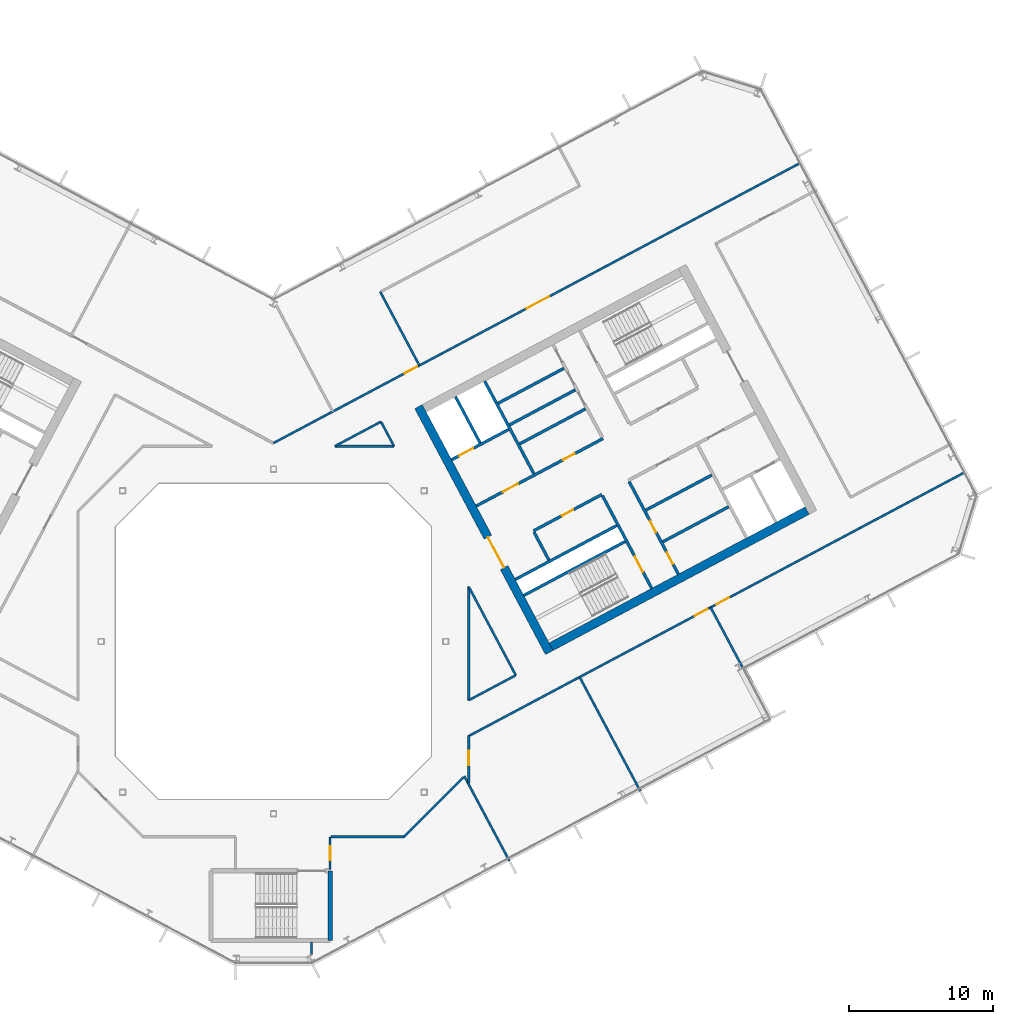
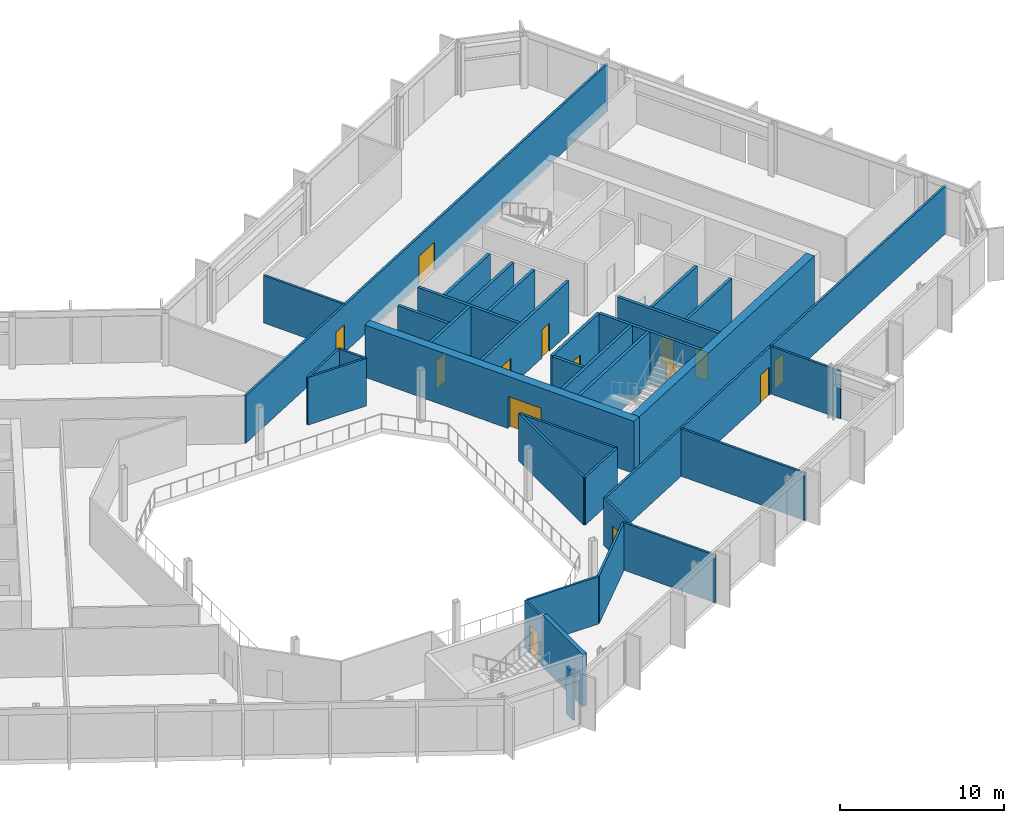
# One storey, part 16 of 27: 35 walls, 14 doors, 14 openings.
"""IFC4 building model written with IfcOpenShell, lengths in metres."""

import ifcopenshell
import ifcopenshell.guid

model = None  # the IFC model being written
_history = None  # IfcOwnerHistory: only IFC2X3 demands one
_inside = {}  # id of a spatial element -> (the spatial element, [elements in it])
_under = {}  # id of a project, library or spatial element -> (it, [spatial elements below it])
_declared = {}  # id of a project -> (the project, [libraries it declares])
_typed = {}  # id of a type object -> (the type object, [elements of that type])
_made_of = {}  # id of a material, layer set ... -> (it, [elements and type objects made of it])


def new_model(schema):
    """Start an empty IFC model of exactly this schema.

    Asked for "IFC4X3", IfcOpenShell would pick the latest addendum, in which some entities
    have other attributes; the version numbers below select the first issue.
    IFC2X3 requires an IfcOwnerHistory on every rooted entity: one is made here for all.
    """
    global model, _history
    if schema == "IFC4X3":
        model = ifcopenshell.file(schema_version=(4, 3, 0, 0))
    else:
        model = ifcopenshell.file(schema=schema)
    _inside.clear()
    _under.clear()
    _declared.clear()
    _typed.clear()
    _made_of.clear()
    _history = None
    if model.schema == "IFC2X3":
        org = make("IfcOrganization", Name="unknown")
        user = make(
            "IfcPersonAndOrganization",
            ThePerson=make("IfcPerson", FamilyName="unknown"),
            TheOrganization=org,
        )
        app = make(
            "IfcApplication",
            ApplicationDeveloper=org,
            Version="unknown",
            ApplicationFullName="unknown",
            ApplicationIdentifier="unknown",
        )
        _history = make(
            "IfcOwnerHistory",
            OwningUser=user,
            OwningApplication=app,
            ChangeAction="ADDED",
            CreationDate=0,
        )
    return model


def make(cls, **values):
    """One entity of the class cls with the attributes given. An attribute that is None is left unset."""
    return model.create_entity(
        cls, **{name: value for name, value in values.items() if value is not None}
    )


def rooted(cls, **values):
    """An entity with a GlobalId (a new one), such as an element, a storey or a relation."""
    return make(cls, GlobalId=ifcopenshell.guid.new(), OwnerHistory=_history, **values)


def si_unit(unit_type, name, prefix=None):
    """IfcSIUnit, for example si_unit("LENGTHUNIT", "METRE", prefix="MILLI")."""
    return make("IfcSIUnit", UnitType=unit_type, Prefix=prefix, Name=name)


def assignment(units):
    """IfcUnitAssignment: the units of a project."""
    return None if units is None else make("IfcUnitAssignment", Units=units)


def point(xyz):
    """IfcCartesianPoint."""
    return None if xyz is None else make("IfcCartesianPoint", Coordinates=xyz)


def direction(xyz):
    """IfcDirection."""
    return None if xyz is None else make("IfcDirection", DirectionRatios=xyz)


def frame(location, z_axis=None, x_axis=None):
    """IfcAxis2Placement3D, a coordinate frame: its origin and axes. An axis left out is left unset."""
    return make(
        "IfcAxis2Placement3D",
        Location=point(location),
        Axis=direction(z_axis),
        RefDirection=direction(x_axis),
    )


def frame_2d(location, x_axis=None):
    """IfcAxis2Placement2D, a coordinate frame in the plane: its origin and x axis."""
    return make(
        "IfcAxis2Placement2D", Location=point(location), RefDirection=direction(x_axis)
    )


def origin():
    """The frame at (0, 0, 0) with its axes left unset."""
    return frame((0.0, 0.0, 0.0))


def place(relative_to, where):
    """IfcLocalPlacement: puts the frame where relative to a parent placement (None: the world)."""
    return make(
        "IfcLocalPlacement", PlacementRelTo=relative_to, RelativePlacement=where
    )


def context(
    kind, dimensions, precision=None, world=None, true_north=None, identifier=None
):
    """IfcGeometricRepresentationContext, for example the 3D "Model" context."""
    return make(
        "IfcGeometricRepresentationContext",
        ContextIdentifier=identifier,
        ContextType=kind,
        CoordinateSpaceDimension=dimensions,
        Precision=precision,
        WorldCoordinateSystem=world,
        TrueNorth=true_north,
    )


def subcontext(parent, identifier, kind, view, scale=None):
    """IfcGeometricRepresentationSubContext, for example "Body" below "Model"."""
    return make(
        "IfcGeometricRepresentationSubContext",
        ContextIdentifier=identifier,
        ContextType=kind,
        ParentContext=parent,
        TargetScale=scale,
        TargetView=view,
    )


def project(units=None, contexts=None):
    """IfcProject with its units and contexts."""
    return rooted(
        "IfcProject",
        Name="project",
        RepresentationContexts=contexts,
        UnitsInContext=assignment(units),
    )


def spatial(cls, under=None, at=None, **own):
    """A site, building, storey or space (cls), placed at a placement, below another one or the project."""
    s = rooted(cls, ObjectPlacement=at, **own)
    if under is not None:
        _under.setdefault(under.id(), (under, []))[1].append(s)
    return s


def profile(cls, at=None, kind="AREA", **sizes):
    """A parametric profile (cls). Its sizes go by their IFC names, for example OverallWidth=200.0."""
    return make(cls, ProfileType=kind, Position=at, **sizes)


def rectangle(**sizes):
    """IfcRectangleProfileDef."""
    return profile("IfcRectangleProfileDef", **sizes)


def extrude(swept, where, along, depth):
    """IfcExtrudedAreaSolid: the profile swept, set in the frame where, extruded along a direction by depth."""
    return make(
        "IfcExtrudedAreaSolid",
        SweptArea=swept,
        Position=where,
        ExtrudedDirection=direction(along),
        Depth=depth,
    )


def shape(context_of_items, identifier, shape_type, items):
    """IfcShapeRepresentation: the items that make up one representation, for example the "Body"."""
    return make(
        "IfcShapeRepresentation",
        ContextOfItems=context_of_items,
        RepresentationIdentifier=identifier,
        RepresentationType=shape_type,
        Items=items,
    )


def material(Name=None, Category=None):
    """IfcMaterial."""
    return make("IfcMaterial", Name=Name, Category=Category)


def layer(
    of_material, thickness, ventilated=None, Name=None, Category=None, Priority=None
):
    """IfcMaterialLayer: one layer of a wall or slab, of a material (None: an air gap)."""
    return make(
        "IfcMaterialLayer",
        Material=of_material,
        LayerThickness=thickness,
        IsVentilated=ventilated,
        Name=Name,
        Category=Category,
        Priority=Priority,
    )


def layer_set(layers, Name=None):
    """IfcMaterialLayerSet."""
    return make("IfcMaterialLayerSet", MaterialLayers=layers, LayerSetName=Name)


def made_of(thing, what):
    """Note that an element or type object is made of a material, layer set ...; save() writes the relation."""
    if what is not None:
        _made_of.setdefault(what.id(), (what, []))[1].append(thing)
    return thing


def type_object(cls, material=None, **own):
    """A type object (cls), such as IfcWallType, which elements share."""
    return made_of(rooted(cls, **own), material)


def element(
    cls,
    number,
    at=None,
    inside=None,
    cuts=None,
    type_object=None,
    material=None,
    context=None,
    identifier="Body",
    shape_type=None,
    held_by="IfcProductDefinitionShape",
    body=None,
    shapes=None,
    **own,
):
    """One element of the class cls, such as IfcWall. Its Tag is "e" and its number.

    at: its placement. inside: the storey or other place that contains it. cuts: it is an
    opening in that element (IfcRelVoidsElement). A single representation is given by context,
    identifier, shape_type and body (its items); several are given by shapes. held_by: the class
    of the entity that holds the representations. save() writes the other relations.
    """
    e = rooted(cls, Tag="e%d" % number, ObjectPlacement=at, **own)
    if body is not None:
        shapes = [shape(context, identifier, shape_type, body)]
    if shapes is not None:
        e.Representation = make(held_by, Representations=shapes)
    if inside is not None:
        _inside.setdefault(inside.id(), (inside, []))[1].append(e)
    if cuts is not None:
        rooted(
            "IfcRelVoidsElement", RelatingBuildingElement=cuts, RelatedOpeningElement=e
        )
    if type_object is not None:
        _typed.setdefault(type_object.id(), (type_object, []))[1].append(e)
    return made_of(e, material)


def fill(opening, filler):
    """IfcRelFillsElement: the door or window that sits in an opening."""
    return rooted(
        "IfcRelFillsElement",
        RelatingOpeningElement=opening,
        RelatedBuildingElement=filler,
    )


def aggregate(whole, parts):
    """IfcRelAggregates: a whole, such as a stair, and the parts it consists of."""
    return rooted("IfcRelAggregates", RelatingObject=whole, RelatedObjects=parts)


def save(model, path):
    """Write the relations noted so far, then the file.

    IfcRelAggregates (storeys below a building ...), IfcRelContainedInSpatialStructure (elements
    in a storey), IfcRelDefinesByType, IfcRelAssociatesMaterial and IfcRelDeclares: one each for
    every whole, place, type object, material and project.
    """
    for whole, parts in _under.values():
        aggregate(whole, parts)
    for where, things in _inside.values():
        rooted(
            "IfcRelContainedInSpatialStructure",
            RelatedElements=things,
            RelatingStructure=where,
        )
    for kind, things in _typed.values():
        rooted("IfcRelDefinesByType", RelatedObjects=things, RelatingType=kind)
    for what, things in _made_of.values():
        rooted("IfcRelAssociatesMaterial", RelatedObjects=things, RelatingMaterial=what)
    for by, libraries in _declared.values():
        rooted("IfcRelDeclares", RelatingContext=by, RelatedDefinitions=libraries)
    model.write(path)


model = new_model("IFC4")

# Units and contexts
model_context = context("Model", 3, precision=1e-05, world=origin(), true_north=direction((0.0, 1.0)))
body_context = subcontext(model_context, "Body", "Model", "MODEL_VIEW")
ifc_project = project(units=[si_unit("LENGTHUNIT", "METRE"), si_unit("AREAUNIT", "SQUARE_METRE"), si_unit("VOLUMEUNIT", "CUBIC_METRE"), si_unit("PLANEANGLEUNIT", "RADIAN"), si_unit("MASSUNIT", "GRAM", prefix="KILO")], contexts=[model_context])

# Site, building, storey
site_placement = place(None, origin())
site = spatial("IfcSite", under=ifc_project, at=site_placement, CompositionType="ELEMENT")
building_placement = place(site_placement, origin())
building = spatial("IfcBuilding", under=site, at=building_placement, Name="Cormorant Relay Tower", CompositionType="ELEMENT")
storey_placement = place(building_placement, frame((0.0, 0.0, 232.5)))
storey = spatial("IfcBuildingStorey", under=building, at=storey_placement, Name="L51", CompositionType="ELEMENT", Elevation=232.5)

# Walls
ifc_material_1 = material(Name="Concrete 40 MPa", Category="concrete")
ifc_layer_1 = layer(ifc_material_1, 0.199951171875)
ifc_layer_set_1 = layer_set([ifc_layer_1], Name="Core internal wall 200")
wall_type_1 = type_object("IfcWallType", Name="Core internal wall 200", PredefinedType="SOLIDWALL", material=ifc_layer_set_1)
for number, where, z_axis, x_axis, name in (
    (1, (27.11474609375, 6.942138671875, 0.0), (0.0, 0.0, 1.0), (0.882934506056, 0.469496174655, 0.0), "L51 core B shaft and room wall"),
    (2, (16.442626953125, 15.085205078125, 0.0), (0.0, 0.0, 1.0), (0.882953967957, 0.469459572775, 0.0), "L51 core B shaft and room wall"),
    (3, (15.64453125, 16.586181640625, 0.0), (0.0, 0.0, 1.0), (0.882953967957, 0.469459572775, 0.0), "L51 core B shaft and room wall"),
):
    element("IfcWall", number, at=place(storey_placement, frame(where, z_axis=z_axis, x_axis=x_axis)), inside=storey, type_object=wall_type_1, Name=name, PredefinedType="SOLIDWALL", context=body_context, shape_type="SweptSolid", body=[
        extrude(rectangle(XDim=5.199951171875, YDim=0.199951171875, at=frame_2d((2.60009765625, 0.0))), origin(), (0.0, 0.0, 1.0), 3.89990234375),
    ])
ifc_material_2 = material(Name="Concrete 50 MPa", Category="concrete")
ifc_layer_2 = layer(ifc_material_2, 0.199951171875)
ifc_layer_set_2 = layer_set([ifc_layer_2], Name="Core shaft wall 200")
wall_type_2 = type_object("IfcWallType", Name="Core shaft wall 200", PredefinedType="SHEAR", material=ifc_layer_set_2)
wall_1_placement = place(storey_placement, frame((14.39404296875, 13.825927734375, 0.0), z_axis=(0.0, 0.0, 1.0), x_axis=(-0.469494272526, 0.882935517501, 0.0)))
element("IfcWall", 4, at=wall_1_placement, inside=storey, type_object=wall_type_2, Name="L51 core B shaft wall", PredefinedType="SHEAR", context=body_context, shape_type="SweptSolid", body=[
    extrude(rectangle(XDim=3.64990234375, YDim=0.199951171875, at=frame_2d((1.824951171875, 0.0))), origin(), (0.0, 0.0, 1.0), 3.89990234375),
])
wall_2_placement = place(storey_placement, frame((19.18359375, 5.669921875, 0.0), z_axis=(0.0, 0.0, 1.0), x_axis=(-0.4694473164, 0.882960484464, 0.0)))
element("IfcWall", 5, at=wall_2_placement, inside=storey, type_object=wall_type_2, Name="L51 core B shaft wall", PredefinedType="SHEAR", context=body_context, shape_type="SweptSolid", body=[
    extrude(rectangle(XDim=2.199951171875, YDim=0.199951171875, at=frame_2d((1.10009765625, 0.0))), origin(), (0.0, 0.0, 1.0), 3.89990234375),
])
wall_3_placement = place(storey_placement, frame((18.138427734375, 11.682861328125, 0.0), z_axis=(0.0, 0.0, 1.0), x_axis=(-0.469480409012, 0.88294288918, 0.0)))
element("IfcWall", 6, at=wall_3_placement, inside=storey, type_object=wall_type_2, Name="L51 core B shaft wall", PredefinedType="SHEAR", context=body_context, shape_type="SweptSolid", body=[
    extrude(rectangle(XDim=7.300048828125, YDim=0.199951171875, at=frame_2d((3.64990234375, 0.0))), origin(), (0.0, 0.0, 1.0), 3.89990234375),
])

# Wall, opening, door
wall_4_placement = place(storey_placement, frame((26.345947265625, 3.701904296875, 0.0), z_axis=(0.0, 0.0, 1.0), x_axis=(-0.469480409012, 0.88294288918, 0.0)))
wall_4 = element("IfcWall", 7, at=wall_4_placement, inside=storey, type_object=wall_type_2, Name="L51 core B shaft wall", PredefinedType="SHEAR", context=body_context, shape_type="SweptSolid", body=[
    extrude(rectangle(XDim=7.300048828125, YDim=0.199951171875, at=frame_2d((3.64990234375, 0.0))), origin(), (0.0, 0.0, 1.0), 3.89990234375),
])
opening_1_placement = place(wall_4_placement, frame((1.300048828125, 0.0, 0.0)))
opening_1 = element("IfcOpeningElement", 8, at=opening_1_placement, cuts=wall_4, Name="Opening CDB-040", PredefinedType="OPENING", context=body_context, shape_type="SweptSolid", body=[
    extrude(rectangle(XDim=1.199951171875, YDim=2.10009765625, at=frame_2d((0.60009765625, 1.050048828125))), frame((0.0, 0.10986328125, 0.0), z_axis=(0.0, -1.0, 0.0), x_axis=(1.0, 0.0, 0.0)), (0.0, 0.0, 1.0), 0.219970703125),
])
ifc_material_3 = material(Name="Steel fire door", Category="steel")
door_type_1 = type_object("IfcDoorType", Name="Core stair door 1200x2100", OperationType="SINGLE_SWING_LEFT", PredefinedType="DOOR", material=ifc_material_3)
door_1_placement = place(opening_1_placement, origin())
door_1 = element("IfcDoor", 9, at=door_1_placement, inside=storey, type_object=door_type_1, Name="Core stair door 1200x2100", OperationType="SINGLE_SWING_RIGHT", OverallHeight=2.10009765625, OverallWidth=1.199951171875, PredefinedType="DOOR", context=body_context, shape_type="SweptSolid", body=[
    extrude(rectangle(XDim=1.199951171875, YDim=2.10009765625, at=frame_2d((0.60009765625, 1.050048828125))), frame((0.0, 0.02490234375, 0.0), z_axis=(0.0, -1.0, 0.0), x_axis=(1.0, 0.0, 0.0)), (0.0, 0.0, 1.0), 0.050048828125),
])
fill(opening_1, door_1)

# Wall, openings, doors
wall_5_placement = place(storey_placement, frame((28.199951171875, 4.687744140625, 0.0), z_axis=(0.0, 0.0, 1.0), x_axis=(-0.469454336211, 0.882956752176, 0.0)))
wall_5 = element("IfcWall", 10, at=wall_5_placement, inside=storey, type_object=wall_type_2, Name="L51 core B shaft wall", PredefinedType="SHEAR", context=body_context, shape_type="SweptSolid", body=[
    extrude(rectangle(XDim=7.300048828125, YDim=0.199951171875, at=frame_2d((3.64990234375, 0.0))), origin(), (0.0, 0.0, 1.0), 3.89990234375),
])
opening_2_placement = place(wall_5_placement, frame((0.800048828125, 0.0, 0.0)))
opening_2 = element("IfcOpeningElement", 11, at=opening_2_placement, cuts=wall_5, Name="Opening CDD-286", PredefinedType="OPENING", context=body_context, shape_type="SweptSolid", body=[
    extrude(rectangle(XDim=0.89990234375, YDim=2.10009765625, at=frame_2d((0.449951171875, 1.050048828125))), frame((0.0, 0.10986328125, 0.0), z_axis=(0.0, -1.0, 0.0), x_axis=(1.0, 0.0, 0.0)), (0.0, 0.0, 1.0), 0.219970703125),
])
opening_3_placement = place(wall_5_placement, frame((3.300048828125, 0.0, 0.0)))
opening_3 = element("IfcOpeningElement", 12, at=opening_3_placement, cuts=wall_5, Name="Opening CDD-287", PredefinedType="OPENING", context=body_context, shape_type="SweptSolid", body=[
    extrude(rectangle(XDim=0.89990234375, YDim=2.10009765625, at=frame_2d((0.449951171875, 1.050048828125))), frame((0.0, 0.10986328125, 0.0), z_axis=(0.0, -1.0, 0.0), x_axis=(1.0, 0.0, 0.0)), (0.0, 0.0, 1.0), 0.219970703125),
])
ifc_material_4 = material(Name="Steel fire door", Category="steel")
door_type_2 = type_object("IfcDoorType", Name="Core room door 900x2100", OperationType="SINGLE_SWING_LEFT", PredefinedType="DOOR", material=ifc_material_4)
door_2_placement = place(opening_2_placement, frame((0.89990234375, 0.0, 0.0), z_axis=(0.0, 0.0, 1.0), x_axis=(-1.0, 0.0, 0.0)))
door_2 = element("IfcDoor", 13, at=door_2_placement, inside=storey, type_object=door_type_2, Name="Core room door 900x2100", OperationType="SINGLE_SWING_LEFT", OverallHeight=2.10009765625, OverallWidth=0.89990234375, PredefinedType="DOOR", context=body_context, shape_type="SweptSolid", body=[
    extrude(rectangle(XDim=0.89990234375, YDim=2.10009765625, at=frame_2d((0.449951171875, 1.050048828125))), frame((0.0, 0.02490234375, 0.0), z_axis=(0.0, -1.0, 0.0), x_axis=(1.0, 0.0, 0.0)), (0.0, 0.0, 1.0), 0.050048828125),
])
fill(opening_2, door_2)
door_3_placement = place(opening_3_placement, frame((0.89990234375, 0.0, 0.0), z_axis=(0.0, 0.0, 1.0), x_axis=(-1.0, 0.0, 0.0)))
door_3 = element("IfcDoor", 14, at=door_3_placement, inside=storey, type_object=door_type_2, Name="Core room door 900x2100", OperationType="SINGLE_SWING_LEFT", OverallHeight=2.10009765625, OverallWidth=0.89990234375, PredefinedType="DOOR", context=body_context, shape_type="SweptSolid", body=[
    extrude(rectangle(XDim=0.89990234375, YDim=2.10009765625, at=frame_2d((0.449951171875, 1.050048828125))), frame((0.0, 0.02490234375, 0.0), z_axis=(0.0, -1.0, 0.0), x_axis=(1.0, 0.0, 0.0)), (0.0, 0.0, 1.0), 0.050048828125),
])
fill(opening_3, door_3)

# Walls
for number, where, z_axis, x_axis, name in (
    (15, (17.43359375, 3.210205078125, 0.0), (0.0, 0.0, 1.0), (0.882940221191, 0.469485426614, 0.0), "L51 core B shaft wall"),
    (16, (16.8466796875, 4.31396484375, 0.0), (0.0, 0.0, 1.0), (0.882940221191, 0.469485426614, 0.0), "L51 core B shaft wall"),
):
    element("IfcWall", number, at=place(storey_placement, frame(where, z_axis=z_axis, x_axis=x_axis)), inside=storey, type_object=wall_type_2, Name=name, PredefinedType="SHEAR", context=body_context, shape_type="SweptSolid", body=[
        extrude(rectangle(XDim=8.0, YDim=0.199951171875, at=frame_2d((4.0, 0.0))), origin(), (0.0, 0.0, 1.0), 3.89990234375),
    ])
wall_6_placement = place(storey_placement, frame((25.94091796875, 9.149658203125, 0.0), z_axis=(0.0, 0.0, 1.0), x_axis=(0.882953967957, 0.469459572775, 0.0)))
element("IfcWall", 17, at=wall_6_placement, inside=storey, type_object=wall_type_2, Name="L51 core B shaft wall", PredefinedType="SHEAR", context=body_context, shape_type="SweptSolid", body=[
    extrude(rectangle(XDim=5.199951171875, YDim=0.199951171875, at=frame_2d((2.60009765625, 0.0))), origin(), (0.0, 0.0, 1.0), 3.89990234375),
])

# Wall, opening, door
wall_7_placement = place(storey_placement, frame((18.103759765625, 7.70068359375, 0.0), z_axis=(0.0, 0.0, 1.0), x_axis=(0.882952937579, 0.469461510692, 0.0)))
wall_7 = element("IfcWall", 18, at=wall_7_placement, inside=storey, type_object=wall_type_2, Name="L51 core B shaft wall", PredefinedType="SHEAR", context=body_context, shape_type="SweptSolid", body=[
    extrude(rectangle(XDim=5.400146484375, YDim=0.199951171875, at=frame_2d((2.7001953125, 0.0))), origin(), (0.0, 0.0, 1.0), 3.89990234375),
])
opening_4_placement = place(wall_7_placement, frame((2.25, 0.0, 0.0)))
opening_4 = element("IfcOpeningElement", 19, at=opening_4_placement, cuts=wall_7, Name="Opening CDD-262", PredefinedType="OPENING", context=body_context, shape_type="SweptSolid", body=[
    extrude(rectangle(XDim=0.89990234375, YDim=2.10009765625, at=frame_2d((0.449951171875, 1.050048828125))), frame((0.0, 0.10986328125, 0.0), z_axis=(0.0, -1.0, 0.0), x_axis=(1.0, 0.0, 0.0)), (0.0, 0.0, 1.0), 0.219970703125),
])
door_4_placement = place(opening_4_placement, frame((0.89990234375, 0.0, 0.0), z_axis=(0.0, 0.0, 1.0), x_axis=(-1.0, 0.0, 0.0)))
door_4 = element("IfcDoor", 20, at=door_4_placement, inside=storey, type_object=door_type_2, Name="Core room door 900x2100", OperationType="SINGLE_SWING_RIGHT", OverallHeight=2.10009765625, OverallWidth=0.89990234375, PredefinedType="DOOR", context=body_context, shape_type="SweptSolid", body=[
    extrude(rectangle(XDim=0.89990234375, YDim=2.10009765625, at=frame_2d((0.449951171875, 1.050048828125))), frame((0.0, 0.02490234375, 0.0), z_axis=(0.0, -1.0, 0.0), x_axis=(1.0, 0.0, 0.0)), (0.0, 0.0, 1.0), 0.050048828125),
])
fill(opening_4, door_4)

# Wall, openings, doors
wall_8_placement = place(storey_placement, frame((14.123779296875, 9.43505859375, 0.0), z_axis=(0.0, 0.0, 1.0), x_axis=(0.882940221191, 0.469485426614, 0.0)))
wall_8 = element("IfcWall", 21, at=wall_8_placement, inside=storey, type_object=wall_type_2, Name="L51 core B shaft wall", PredefinedType="SHEAR", context=body_context, shape_type="SweptSolid", body=[
    extrude(rectangle(XDim=10.0, YDim=0.199951171875, at=frame_2d((5.0, 0.0))), origin(), (0.0, 0.0, 1.0), 3.89990234375),
])
opening_5_placement = place(wall_8_placement, frame((2.10009765625, 0.0, 0.0)))
opening_5 = element("IfcOpeningElement", 22, at=opening_5_placement, cuts=wall_8, Name="Opening CDC-037", PredefinedType="OPENING", context=body_context, shape_type="SweptSolid", body=[
    extrude(rectangle(XDim=1.199951171875, YDim=2.10009765625, at=frame_2d((0.60009765625, 1.050048828125))), frame((0.0, 0.10986328125, 0.0), z_axis=(0.0, -1.0, 0.0), x_axis=(1.0, 0.0, 0.0)), (0.0, 0.0, 1.0), 0.219970703125),
])
opening_6_placement = place(wall_8_placement, frame((6.85009765625, 0.0, 0.0)))
opening_6 = element("IfcOpeningElement", 23, at=opening_6_placement, cuts=wall_8, Name="Opening CDD-260", PredefinedType="OPENING", context=body_context, shape_type="SweptSolid", body=[
    extrude(rectangle(XDim=0.89990234375, YDim=2.10009765625, at=frame_2d((0.449951171875, 1.050048828125))), frame((0.0, 0.10986328125, 0.0), z_axis=(0.0, -1.0, 0.0), x_axis=(1.0, 0.0, 0.0)), (0.0, 0.0, 1.0), 0.219970703125),
])
ifc_material_5 = material(Name="Steel fire door", Category="steel")
door_type_3 = type_object("IfcDoorType", Name="Core lobby door 1200x2100", OperationType="SINGLE_SWING_LEFT", PredefinedType="DOOR", material=ifc_material_5)
door_5_placement = place(opening_5_placement, origin())
door_5 = element("IfcDoor", 24, at=door_5_placement, inside=storey, type_object=door_type_3, Name="Core lobby door 1200x2100", OperationType="SINGLE_SWING_RIGHT", OverallHeight=2.10009765625, OverallWidth=1.199951171875, PredefinedType="DOOR", context=body_context, shape_type="SweptSolid", body=[
    extrude(rectangle(XDim=1.199951171875, YDim=2.10009765625, at=frame_2d((0.60009765625, 1.050048828125))), frame((0.0, 0.02490234375, 0.0), z_axis=(0.0, -1.0, 0.0), x_axis=(1.0, 0.0, 0.0)), (0.0, 0.0, 1.0), 0.050048828125),
])
fill(opening_5, door_5)
door_6_placement = place(opening_6_placement, origin())
door_6 = element("IfcDoor", 25, at=door_6_placement, inside=storey, type_object=door_type_2, Name="Core room door 900x2100", OperationType="SINGLE_SWING_LEFT", OverallHeight=2.10009765625, OverallWidth=0.89990234375, PredefinedType="DOOR", context=body_context, shape_type="SweptSolid", body=[
    extrude(rectangle(XDim=0.89990234375, YDim=2.10009765625, at=frame_2d((0.449951171875, 1.050048828125))), frame((0.0, 0.02490234375, 0.0), z_axis=(0.0, -1.0, 0.0), x_axis=(1.0, 0.0, 0.0)), (0.0, 0.0, 1.0), 0.050048828125),
])
fill(opening_6, door_6)

# Wall
wall_9_placement = place(storey_placement, frame((17.146728515625, 13.7607421875, 0.0), z_axis=(0.0, 0.0, 1.0), x_axis=(0.882964314875, 0.469440111896, 0.0)))
element("IfcWall", 26, at=wall_9_placement, inside=storey, type_object=wall_type_2, Name="L51 core B shaft wall", PredefinedType="SHEAR", context=body_context, shape_type="SweptSolid", body=[
    extrude(rectangle(XDim=5.2001953125, YDim=0.199951171875, at=frame_2d((2.60009765625, 0.0))), origin(), (0.0, 0.0, 1.0), 3.89990234375),
])

# Wall, opening, door
wall_10_placement = place(storey_placement, frame((12.41015625, 12.657958984375, 0.0), z_axis=(0.0, 0.0, 1.0), x_axis=(0.8829484765, 0.469469900894, 0.0)))
wall_10 = element("IfcWall", 27, at=wall_10_placement, inside=storey, type_object=wall_type_2, Name="L51 core B shaft wall", PredefinedType="SHEAR", context=body_context, shape_type="SweptSolid", body=[
    extrude(rectangle(XDim=4.499755859375, YDim=0.199951171875, at=frame_2d((2.25, 0.0))), origin(), (0.0, 0.0, 1.0), 3.89990234375),
])
opening_7_placement = place(wall_10_placement, frame((0.60009765625, 0.0, 0.0)))
opening_7 = element("IfcOpeningElement", 28, at=opening_7_placement, cuts=wall_10, Name="Opening LD1-064", PredefinedType="OPENING", context=body_context, shape_type="SweptSolid", body=[
    extrude(rectangle(XDim=1.10009765625, YDim=2.10009765625, at=frame_2d((0.550048828125, 1.050048828125))), frame((0.0, 0.10986328125, 0.0), z_axis=(0.0, -1.0, 0.0), x_axis=(1.0, 0.0, 0.0)), (0.0, 0.0, 1.0), 0.219970703125),
])
ifc_material_6 = material(Name="Stainless steel 316", Category="steel")
door_type_4 = type_object("IfcDoorType", Name="Lift landing door 1100x2100", OperationType="DOUBLE_DOOR_SLIDING", PredefinedType="DOOR", material=ifc_material_6)
door_7_placement = place(opening_7_placement, origin())
door_7 = element("IfcDoor", 29, at=door_7_placement, inside=storey, type_object=door_type_4, Name="FF2 landing door", OperationType="DOUBLE_DOOR_SLIDING", OverallHeight=2.10009765625, OverallWidth=1.10009765625, PredefinedType="DOOR", context=body_context, shape_type="SweptSolid", body=[
    extrude(rectangle(XDim=1.10009765625, YDim=2.10009765625, at=frame_2d((0.550048828125, 1.050048828125))), frame((0.0, 0.02490234375, 0.0), z_axis=(0.0, -1.0, 0.0), x_axis=(1.0, 0.0, 0.0)), (0.0, 0.0, 1.0), 0.050048828125),
])
fill(opening_7, door_7)

ifc_material_7 = material(Name="Concrete 50 MPa", Category="concrete")
ifc_layer_3 = layer(ifc_material_7, 0.60009765625)
ifc_layer_set_3 = layer_set([ifc_layer_3], Name="Core wall 600")
wall_type_3 = type_object("IfcWallType", Name="Core wall 600", PredefinedType="SHEAR", material=ifc_layer_set_3)
wall_11_placement = place(storey_placement, frame((19.210693359375, -0.771484375, 0.0), z_axis=(0.0, 0.0, 1.0), x_axis=(-0.469463742137, 0.882951751127, 0.0)))
wall_11 = element("IfcWall", 30, at=wall_11_placement, inside=storey, type_object=wall_type_3, Name="L51 core B wall", PredefinedType="SHEAR", context=body_context, shape_type="SweptSolid", body=[
    extrude(rectangle(XDim=19.400146484375, YDim=0.60009765625, at=frame_2d((9.7001953125, 0.0))), origin(), (0.0, 0.0, 1.0), 3.89990234375),
])
opening_8_placement = place(wall_11_placement, frame((6.699951171875, 0.0, 0.0)))
opening_8 = element("IfcOpeningElement", 31, at=opening_8_placement, cuts=wall_11, Name="Opening CDA-044", PredefinedType="OPENING", context=body_context, shape_type="SweptSolid", body=[
    extrude(rectangle(XDim=2.39990234375, YDim=2.39990234375, at=frame_2d((1.199951171875, 1.199951171875))), frame((0.0, 0.31005859375, 0.0), z_axis=(0.0, -1.0, 0.0), x_axis=(1.0, 0.0, 0.0)), (0.0, 0.0, 1.0), 0.6201171875),
])
ifc_material_8 = material(Name="Steel fire door", Category="steel")
door_type_5 = type_object("IfcDoorType", Name="Core lobby door 2400x2400", OperationType="DOUBLE_DOOR_SINGLE_SWING", PredefinedType="DOOR", material=ifc_material_8)
door_8_placement = place(opening_8_placement, origin())
door_8 = element("IfcDoor", 32, at=door_8_placement, inside=storey, type_object=door_type_5, Name="Core lobby door 2400x2400", OperationType="DOUBLE_DOOR_SINGLE_SWING", OverallHeight=2.39990234375, OverallWidth=2.39990234375, PredefinedType="DOOR", context=body_context, shape_type="SweptSolid", body=[
    extrude(rectangle(XDim=2.39990234375, YDim=2.39990234375, at=frame_2d((1.199951171875, 1.199951171875))), frame((0.0, 0.02490234375, 0.0), z_axis=(0.0, -1.0, 0.0), x_axis=(1.0, 0.0, 0.0)), (0.0, 0.0, 1.0), 0.050048828125),
])
fill(opening_8, door_8)

# Wall
wall_12_placement = place(storey_placement, frame((19.3349609375, -0.36572265625, 0.0), z_axis=(0.0, 0.0, 1.0), x_axis=(0.88294509198, 0.469476266226, 0.0)))
element("IfcWall", 33, at=wall_12_placement, inside=storey, type_object=wall_type_3, Name="L51 core B wall", PredefinedType="SHEAR", context=body_context, shape_type="SweptSolid", body=[
    extrude(rectangle(XDim=20.199951171875, YDim=0.60009765625, at=frame_2d((10.10009765625, 0.0))), origin(), (0.0, 0.0, 1.0), 3.89990234375),
])

# Wall, openings, doors
ifc_material_9 = material(Name="Gypsum board fire partition")
ifc_layer_4 = layer(ifc_material_9, 0.14990234375)
ifc_layer_set_4 = layer_set([ifc_layer_4], Name="Corridor partition 150 EI 60")
wall_type_4 = type_object("IfcWallType", Name="Corridor partition 150 EI 60", PredefinedType="PARTITIONING", material=ifc_layer_set_4)
wall_13_placement = place(storey_placement, frame((0.0, 13.81689453125, 0.0), z_axis=(0.0, 0.0, 1.0), x_axis=(0.88295168045, 0.469463875065, 0.0)))
wall_13 = element("IfcWall", 34, at=wall_13_placement, inside=storey, type_object=wall_type_4, Name="wall/L51/part/012", PredefinedType="PARTITIONING", context=body_context, shape_type="SweptSolid", body=[
    extrude(rectangle(XDim=41.713623046875, YDim=0.14990234375, at=frame_2d((20.85693359375, 0.0))), origin(), (0.0, 0.0, 1.0), 3.5400390625),
])
opening_9_placement = place(wall_13_placement, frame((19.949951171875, 0.0, 0.0)))
opening_9 = element("IfcOpeningElement", 35, at=opening_9_placement, cuts=wall_13, Name="Opening DD-029", PredefinedType="OPENING", context=body_context, shape_type="SweptSolid", body=[
    extrude(rectangle(XDim=1.800048828125, YDim=2.10009765625, at=frame_2d((0.89990234375, 1.050048828125))), frame((0.0, 0.0849609375, 0.0), z_axis=(0.0, -1.0, 0.0), x_axis=(1.0, 0.0, 0.0)), (0.0, 0.0, 1.0), 0.169921875),
])
opening_10_placement = place(wall_13_placement, frame((10.35009765625, 0.0, 0.0)))
opening_10 = element("IfcOpeningElement", 36, at=opening_10_placement, cuts=wall_13, Name="Opening DS-160", PredefinedType="OPENING", context=body_context, shape_type="SweptSolid", body=[
    extrude(rectangle(XDim=1.0, YDim=2.10009765625, at=frame_2d((0.5, 1.050048828125))), frame((0.0, 0.0849609375, 0.0), z_axis=(0.0, -1.0, 0.0), x_axis=(1.0, 0.0, 0.0)), (0.0, 0.0, 1.0), 0.169921875),
])
ifc_material_10 = material(Name="Timber door leaf", Category="wood")
door_type_6 = type_object("IfcDoorType", Name="Suite door 1000x2100", OperationType="SINGLE_SWING_LEFT", PredefinedType="DOOR", material=ifc_material_10)
door_9_placement = place(opening_10_placement, origin())
door_9 = element("IfcDoor", 37, at=door_9_placement, inside=storey, type_object=door_type_6, Name="door/L51/014", OperationType="SINGLE_SWING_RIGHT", OverallHeight=2.10009765625, OverallWidth=1.0, PredefinedType="DOOR", context=body_context, shape_type="SweptSolid", body=[
    extrude(rectangle(XDim=1.0, YDim=2.10009765625, at=frame_2d((0.5, 1.050048828125))), frame((0.0, 0.02490234375, 0.0), z_axis=(0.0, -1.0, 0.0), x_axis=(1.0, 0.0, 0.0)), (0.0, 0.0, 1.0), 0.050048828125),
])
fill(opening_10, door_9)
ifc_material_11 = material(Name="Timber door leaf", Category="wood")
door_type_7 = type_object("IfcDoorType", Name="Suite double door 1800x2100", OperationType="DOUBLE_DOOR_SINGLE_SWING", PredefinedType="DOOR", material=ifc_material_11)
door_10_placement = place(opening_9_placement, origin())
door_10 = element("IfcDoor", 38, at=door_10_placement, inside=storey, type_object=door_type_7, Name="door/L51/013", OperationType="DOUBLE_DOOR_SINGLE_SWING", OverallHeight=2.10009765625, OverallWidth=1.800048828125, PredefinedType="DOOR", context=body_context, shape_type="SweptSolid", body=[
    extrude(rectangle(XDim=1.800048828125, YDim=2.10009765625, at=frame_2d((0.89990234375, 1.050048828125))), frame((0.0, 0.02490234375, 0.0), z_axis=(0.0, -1.0, 0.0), x_axis=(1.0, 0.0, 0.0)), (0.0, 0.0, 1.0), 0.050048828125),
])
fill(opening_9, door_10)

# Wall, opening, door
wall_14_placement = place(storey_placement, frame((3.949951171875, -13.60009765625, 0.0), z_axis=(0.0, 0.0, 1.0), x_axis=(0.0, -1.0, 0.0)))
wall_14 = element("IfcWall", 39, at=wall_14_placement, inside=storey, type_object=wall_type_4, Name="wall/L51/part/028", PredefinedType="PARTITIONING", context=body_context, shape_type="SweptSolid", body=[
    extrude(rectangle(XDim=2.27490234375, YDim=0.14990234375, at=frame_2d((1.137451171875, 0.0))), origin(), (0.0, 0.0, 1.0), 3.5400390625),
])
opening_11_placement = place(wall_14_placement, frame((0.64990234375, 0.0, 0.0)))
opening_11 = element("IfcOpeningElement", 40, at=opening_11_placement, cuts=wall_14, Name="Opening DS-138", PredefinedType="OPENING", context=body_context, shape_type="SweptSolid", body=[
    extrude(rectangle(XDim=1.0, YDim=2.10009765625, at=frame_2d((0.5, 1.050048828125))), frame((0.0, 0.0849609375, 0.0), z_axis=(0.0, -1.0, 0.0), x_axis=(1.0, 0.0, 0.0)), (0.0, 0.0, 1.0), 0.169921875),
])
door_11_placement = place(opening_11_placement, origin())
door_11 = element("IfcDoor", 41, at=door_11_placement, inside=storey, type_object=door_type_6, Name="door/L51/001", OperationType="SINGLE_SWING_LEFT", OverallHeight=2.10009765625, OverallWidth=1.0, PredefinedType="DOOR", context=body_context, shape_type="SweptSolid", body=[
    extrude(rectangle(XDim=1.0, YDim=2.10009765625, at=frame_2d((0.5, 1.050048828125))), frame((0.0, 0.02490234375, 0.0), z_axis=(0.0, -1.0, 0.0), x_axis=(1.0, 0.0, 0.0)), (0.0, 0.0, 1.0), 0.050048828125),
])
fill(opening_11, door_11)

# Walls
wall_15_placement = place(storey_placement, frame((13.23291015625, -9.444091796875, 0.0), z_axis=(0.0, 0.0, 1.0), x_axis=(-0.707106781187, -0.707106781187, 0.0)))
element("IfcWall", 42, at=wall_15_placement, inside=storey, type_object=wall_type_4, Name="wall/L51/part/029", PredefinedType="PARTITIONING", context=body_context, shape_type="SweptSolid", body=[
    extrude(rectangle(XDim=5.87744140625, YDim=0.14990234375, at=frame_2d((2.938720703125, 0.0))), origin(), (0.0, 0.0, 1.0), 3.5400390625),
])
wall_16_placement = place(storey_placement, frame((9.076904296875, -13.60009765625, 0.0), z_axis=(0.0, 0.0, 1.0), x_axis=(-1.0, 0.0, 0.0)))
element("IfcWall", 43, at=wall_16_placement, inside=storey, type_object=wall_type_4, Name="wall/L51/part/030", PredefinedType="PARTITIONING", context=body_context, shape_type="SweptSolid", body=[
    extrude(rectangle(XDim=5.052001953125, YDim=0.14990234375, at=frame_2d((2.52587890625, 0.0))), origin(), (0.0, 0.0, 1.0), 3.5400390625),
])

# Wall, opening, door
wall_17_placement = place(storey_placement, frame((13.60009765625, -6.535888671875, 0.0), z_axis=(0.0, 0.0, 1.0), x_axis=(0.0, -1.0, 0.0)))
wall_17 = element("IfcWall", 44, at=wall_17_placement, inside=storey, type_object=wall_type_4, Name="wall/L51/part/035", PredefinedType="PARTITIONING", context=body_context, shape_type="SweptSolid", body=[
    extrude(rectangle(XDim=3.31005859375, YDim=0.14990234375, at=frame_2d((1.655029296875, 0.0))), origin(), (0.0, 0.0, 1.0), 3.5400390625),
])
opening_12_placement = place(wall_17_placement, frame((1.089111328125, 0.0, 0.0)))
opening_12 = element("IfcOpeningElement", 45, at=opening_12_placement, cuts=wall_17, Name="Opening DS-152", PredefinedType="OPENING", context=body_context, shape_type="SweptSolid", body=[
    extrude(rectangle(XDim=1.0, YDim=2.10009765625, at=frame_2d((0.5, 1.050048828125))), frame((0.0, 0.0849609375, 0.0), z_axis=(0.0, -1.0, 0.0), x_axis=(1.0, 0.0, 0.0)), (0.0, 0.0, 1.0), 0.169921875),
])
door_12_placement = place(opening_12_placement, origin())
door_12 = element("IfcDoor", 46, at=door_12_placement, inside=storey, type_object=door_type_6, Name="door/L51/002", OperationType="SINGLE_SWING_LEFT", OverallHeight=2.10009765625, OverallWidth=1.0, PredefinedType="DOOR", context=body_context, shape_type="SweptSolid", body=[
    extrude(rectangle(XDim=1.0, YDim=2.10009765625, at=frame_2d((0.5, 1.050048828125))), frame((0.0, 0.02490234375, 0.0), z_axis=(0.0, -1.0, 0.0), x_axis=(1.0, 0.0, 0.0)), (0.0, 0.0, 1.0), 0.050048828125),
])
fill(opening_12, door_12)

# Wall, openings, doors
wall_18_placement = place(storey_placement, frame((48.285888671875, 11.85595703125, 0.0), z_axis=(0.0, 0.0, 1.0), x_axis=(-0.882956748566, -0.469454343001, 0.0)))
wall_18 = element("IfcWall", 47, at=wall_18_placement, inside=storey, type_object=wall_type_4, Name="wall/L51/part/037", PredefinedType="PARTITIONING", context=body_context, shape_type="SweptSolid", body=[
    extrude(rectangle(XDim=39.28369140625, YDim=0.14990234375, at=frame_2d((19.641845703125, 0.0))), origin(), (0.0, 0.0, 1.0), 3.5400390625),
])
opening_13_placement = place(wall_18_placement, frame((20.449951171875, 0.0, 0.0)))
opening_13 = element("IfcOpeningElement", 48, at=opening_13_placement, cuts=wall_18, Name="Opening DS-153", PredefinedType="OPENING", context=body_context, shape_type="SweptSolid", body=[
    extrude(rectangle(XDim=1.0, YDim=2.10009765625, at=frame_2d((0.5, 1.050048828125))), frame((0.0, 0.0849609375, 0.0), z_axis=(0.0, -1.0, 0.0), x_axis=(1.0, 0.0, 0.0)), (0.0, 0.0, 1.0), 0.169921875),
])
opening_14_placement = place(wall_18_placement, frame((18.75, 0.0, 0.0)))
opening_14 = element("IfcOpeningElement", 49, at=opening_14_placement, cuts=wall_18, Name="Opening DS-154", PredefinedType="OPENING", context=body_context, shape_type="SweptSolid", body=[
    extrude(rectangle(XDim=1.0, YDim=2.10009765625, at=frame_2d((0.5, 1.050048828125))), frame((0.0, 0.0849609375, 0.0), z_axis=(0.0, -1.0, 0.0), x_axis=(1.0, 0.0, 0.0)), (0.0, 0.0, 1.0), 0.169921875),
])
door_13_placement = place(opening_13_placement, origin())
door_13 = element("IfcDoor", 50, at=door_13_placement, inside=storey, type_object=door_type_6, Name="door/L51/003", OperationType="SINGLE_SWING_LEFT", OverallHeight=2.10009765625, OverallWidth=1.0, PredefinedType="DOOR", context=body_context, shape_type="SweptSolid", body=[
    extrude(rectangle(XDim=1.0, YDim=2.10009765625, at=frame_2d((0.5, 1.050048828125))), frame((0.0, 0.02490234375, 0.0), z_axis=(0.0, -1.0, 0.0), x_axis=(1.0, 0.0, 0.0)), (0.0, 0.0, 1.0), 0.050048828125),
])
fill(opening_13, door_13)
door_14_placement = place(opening_14_placement, origin())
door_14 = element("IfcDoor", 51, at=door_14_placement, inside=storey, type_object=door_type_6, Name="door/L51/004", OperationType="SINGLE_SWING_RIGHT", OverallHeight=2.10009765625, OverallWidth=1.0, PredefinedType="DOOR", context=body_context, shape_type="SweptSolid", body=[
    extrude(rectangle(XDim=1.0, YDim=2.10009765625, at=frame_2d((0.5, 1.050048828125))), frame((0.0, 0.02490234375, 0.0), z_axis=(0.0, -1.0, 0.0), x_axis=(1.0, 0.0, 0.0)), (0.0, 0.0, 1.0), 0.050048828125),
])
fill(opening_14, door_14)

# Walls
wall_19_placement = place(storey_placement, frame((4.277099609375, 13.60009765625, 0.0), z_axis=(0.0, 0.0, 1.0), x_axis=(1.0, 0.0, 0.0)))
element("IfcWall", 52, at=wall_19_placement, inside=storey, type_object=wall_type_4, Name="wall/L51/part/048", PredefinedType="PARTITIONING", context=body_context, shape_type="SweptSolid", body=[
    extrude(rectangle(XDim=4.120849609375, YDim=0.14990234375, at=frame_2d((2.060546875, 0.0))), origin(), (0.0, 0.0, 1.0), 3.5400390625),
])
wall_20_placement = place(storey_placement, frame((8.39794921875, 13.60009765625, 0.0), z_axis=(0.0, 0.0, 1.0), x_axis=(-0.469388988559, 0.882991493401, 0.0)))
element("IfcWall", 53, at=wall_20_placement, inside=storey, type_object=wall_type_4, Name="wall/L51/part/049", PredefinedType="PARTITIONING", context=body_context, shape_type="SweptSolid", body=[
    extrude(rectangle(XDim=1.934326171875, YDim=0.14990234375, at=frame_2d((0.96728515625, 0.0))), origin(), (0.0, 0.0, 1.0), 3.5400390625),
])
wall_21_placement = place(storey_placement, frame((7.489990234375, 15.30810546875, 0.0), z_axis=(0.0, 0.0, 1.0), x_axis=(-0.882983638691, -0.469403764155, 0.0)))
element("IfcWall", 54, at=wall_21_placement, inside=storey, type_object=wall_type_4, Name="wall/L51/part/050", PredefinedType="PARTITIONING", context=body_context, shape_type="SweptSolid", body=[
    extrude(rectangle(XDim=3.638671875, YDim=0.14990234375, at=frame_2d((1.8193359375, 0.0))), origin(), (0.0, 0.0, 1.0), 3.5400390625),
])
wall_22_placement = place(storey_placement, frame((16.87890625, -2.35107421875, 0.0), z_axis=(0.0, 0.0, 1.0), x_axis=(-0.469386900786, 0.882992603236, 0.0)))
element("IfcWall", 55, at=wall_22_placement, inside=storey, type_object=wall_type_4, Name="wall/L51/part/051", PredefinedType="PARTITIONING", context=body_context, shape_type="SweptSolid", body=[
    extrude(rectangle(XDim=6.9853515625, YDim=0.14990234375, at=frame_2d((3.49267578125, 0.0))), origin(), (0.0, 0.0, 1.0), 3.5400390625),
])
wall_23_placement = place(storey_placement, frame((13.60009765625, 3.81689453125, 0.0), z_axis=(0.0, 0.0, 1.0), x_axis=(0.0, -1.0, 0.0)))
element("IfcWall", 56, at=wall_23_placement, inside=storey, type_object=wall_type_4, Name="wall/L51/part/052", PredefinedType="PARTITIONING", context=body_context, shape_type="SweptSolid", body=[
    extrude(rectangle(XDim=7.910888671875, YDim=0.14990234375, at=frame_2d((3.95556640625, 0.0))), origin(), (0.0, 0.0, 1.0), 3.5400390625),
])
wall_24_placement = place(storey_placement, frame((13.60009765625, -4.093994140625, 0.0), z_axis=(0.0, 0.0, 1.0), x_axis=(0.882998216328, 0.469376341502, 0.0)))
element("IfcWall", 57, at=wall_24_placement, inside=storey, type_object=wall_type_4, Name="wall/L51/part/053", PredefinedType="PARTITIONING", context=body_context, shape_type="SweptSolid", body=[
    extrude(rectangle(XDim=3.71337890625, YDim=0.14990234375, at=frame_2d((1.856689453125, 0.0))), origin(), (0.0, 0.0, 1.0), 3.5400390625),
])
ifc_material_12 = material(Name="Concrete 50 MPa", Category="concrete")
ifc_layer_5 = layer(ifc_material_12, 0.300048828125)
ifc_layer_set_5 = layer_set([ifc_layer_5], Name="Remote stair wall 300")
wall_type_5 = type_object("IfcWallType", Name="Remote stair wall 300", PredefinedType="SHEAR", material=ifc_layer_set_5)
wall_25_placement = place(storey_placement, frame((3.949951171875, -15.97509765625, 0.0), z_axis=(0.0, 0.0, 1.0), x_axis=(0.0, -1.0, 0.0)))
element("IfcWall", 58, at=wall_25_placement, inside=storey, type_object=wall_type_5, Name="L51 exit stair RK1 wall", PredefinedType="SHEAR", context=body_context, shape_type="SweptSolid", body=[
    extrude(rectangle(XDim=4.849853515625, YDim=0.300048828125, at=frame_2d((2.4248046875, 0.0))), origin(), (0.0, 0.0, 1.0), 3.89990234375),
])
ifc_material_13 = material(Name="Gypsum board partition")
ifc_layer_6 = layer(ifc_material_13, 0.14990234375)
ifc_layer_set_6 = layer_set([ifc_layer_6], Name="Tenant partition 150")
wall_type_6 = type_object("IfcWallType", Name="Tenant partition 150", PredefinedType="PARTITIONING", material=ifc_layer_set_6)
wall_26_placement = place(storey_placement, frame((2.64892578125, -21.799072265625, 0.0), z_axis=(0.0, 0.0, 1.0), x_axis=(0.0, 1.0, 0.0)))
element("IfcWall", 59, at=wall_26_placement, inside=storey, type_object=wall_type_6, Name="wall/L51/part/027", PredefinedType="PARTITIONING", context=body_context, shape_type="SweptSolid", body=[
    extrude(rectangle(XDim=0.8740234375, YDim=0.14990234375, at=frame_2d((0.43701171875, 0.0))), origin(), (0.0, 0.0, 1.0), 3.5400390625),
])
wall_27_placement = place(storey_placement, frame((7.443115234375, 24.343994140625, 0.0), z_axis=(0.0, 0.0, 1.0), x_axis=(0.46940426451, -0.882983372697, 0.0)))
element("IfcWall", 60, at=wall_27_placement, inside=storey, type_object=wall_type_6, Name="wall/L51/part/032", PredefinedType="PARTITIONING", context=body_context, shape_type="SweptSolid", body=[
    extrude(rectangle(XDim=5.781494140625, YDim=0.14990234375, at=frame_2d((2.890625, 0.0))), origin(), (0.0, 0.0, 1.0), 3.5400390625),
])
wall_28_placement = place(storey_placement, frame((13.294921875, -9.382080078125, 0.0), z_axis=(0.0, 0.0, 1.0), x_axis=(0.469560801687, -0.882900137908, 0.0)))
element("IfcWall", 61, at=wall_28_placement, inside=storey, type_object=wall_type_6, Name="wall/L51/part/034", PredefinedType="PARTITIONING", context=body_context, shape_type="SweptSolid", body=[
    extrude(rectangle(XDim=6.67431640625, YDim=0.14990234375, at=frame_2d((3.337158203125, 0.0))), origin(), (0.0, 0.0, 1.0), 3.5400390625),
])
wall_29_placement = place(storey_placement, frame((21.326904296875, -2.47802734375, 0.0), z_axis=(0.0, 0.0, 1.0), x_axis=(0.469481145989, -0.882942497313, 0.0)))
element("IfcWall", 62, at=wall_29_placement, inside=storey, type_object=wall_type_6, Name="wall/L51/part/036", PredefinedType="PARTITIONING", context=body_context, shape_type="SweptSolid", body=[
    extrude(rectangle(XDim=8.99951171875, YDim=0.14990234375, at=frame_2d((4.499755859375, 0.0))), origin(), (0.0, 0.0, 1.0), 3.5400390625),
])
wall_30_placement = place(storey_placement, frame((30.449951171875, 2.373046875, 0.0), z_axis=(0.0, 0.0, 1.0), x_axis=(0.469577911111, -0.882891038235, 0.0)))
element("IfcWall", 63, at=wall_30_placement, inside=storey, type_object=wall_type_6, Name="wall/L51/part/038", PredefinedType="PARTITIONING", context=body_context, shape_type="SweptSolid", body=[
    extrude(rectangle(XDim=5.0810546875, YDim=0.14990234375, at=frame_2d((2.54052734375, 0.0))), origin(), (0.0, 0.0, 1.0), 3.5400390625),
])

save(model, "model.ifc")
